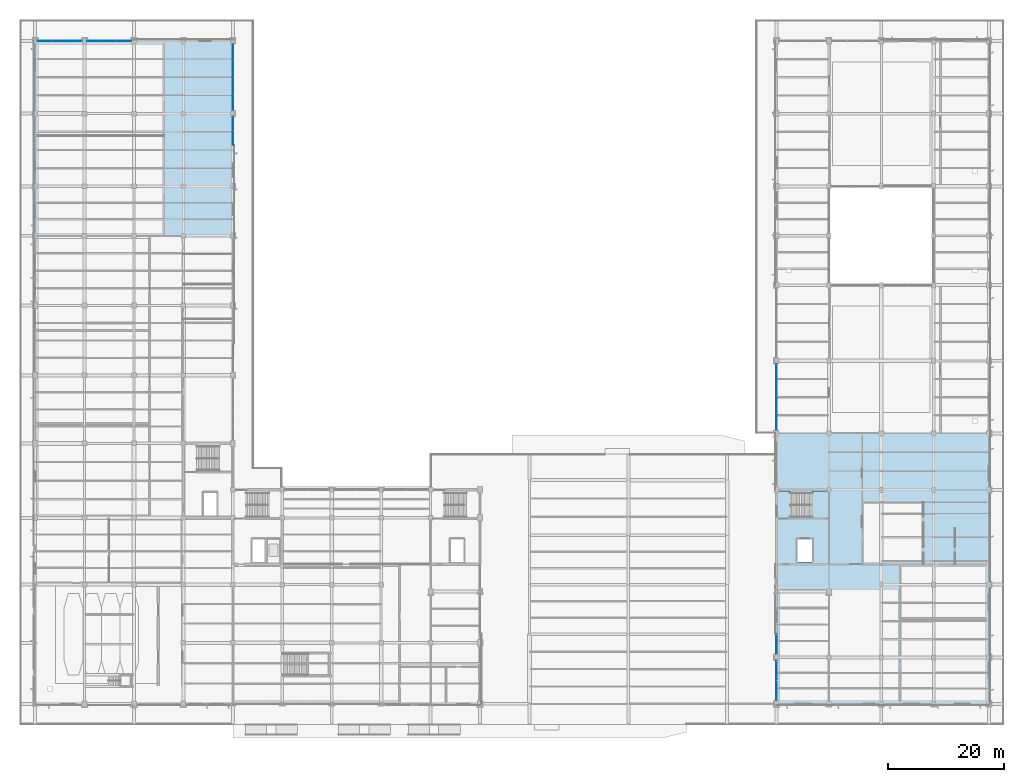
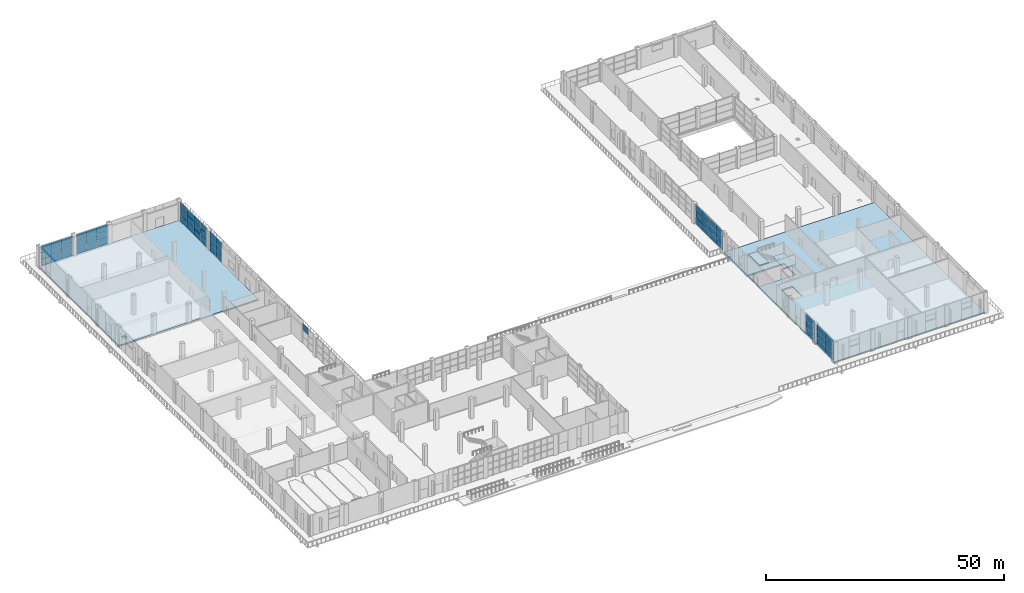
# One storey, part 63 of 90: 58 plates, 4 slabs, 9 elements without a shape of their own.
"""IFC4 building model written with IfcOpenShell, lengths in metres."""

from ifc_helpers import new_model, si_unit, direction, frame, origin, origin_2d, place, context, subcontext, project, spatial, polyline, rectangle, outline, extrude, material, layer, layer_set, type_object, element, aggregate, save


model = new_model("IFC4")

# Units and contexts
model_context = context("Model", 3, precision=1e-05, world=origin(), true_north=direction((0.0, 1.0)))
body_context = subcontext(model_context, "Body", "Model", "MODEL_VIEW")
ifc_project = project(units=[si_unit("LENGTHUNIT", "METRE"), si_unit("AREAUNIT", "SQUARE_METRE"), si_unit("VOLUMEUNIT", "CUBIC_METRE"), si_unit("PLANEANGLEUNIT", "RADIAN"), si_unit("MASSUNIT", "GRAM", prefix="KILO")], contexts=[model_context])

# Site, building, storey
site_placement = place(None, origin())
site = spatial("IfcSite", under=ifc_project, at=site_placement, CompositionType="ELEMENT")
building_placement = place(site_placement, origin())
building = spatial("IfcBuilding", under=site, at=building_placement, Name="Solvikara Media Centre", CompositionType="ELEMENT")
storey_placement = place(building_placement, origin())
storey = spatial("IfcBuildingStorey", under=building, at=storey_placement, Name="L00", CompositionType="ELEMENT", Elevation=0.0)

# Curtain wall, plates
ifc_material_1 = material(Name="Anodised aluminium EN AW-6063", Category="aluminium")
curtain_wall_type_1 = type_object("IfcCurtainWallType", Name="CW-11", PredefinedType="NOTDEFINED", material=ifc_material_1)
curtain_wall_1_placement = place(storey_placement, origin())
curtain_wall_1 = element("IfcCurtainWall", 1, at=curtain_wall_1_placement, inside=storey, type_object=curtain_wall_type_1, Name="CW-L00-V5-WS-S1", PredefinedType="NOTDEFINED")
ifc_material_2 = material(Name="Double-glazed low-E architectural glass", Category="glass")
ifc_layer_1 = layer(ifc_material_2, 0.035888671875)
ifc_layer_set_1 = layer_set([ifc_layer_1], Name="Double-glazed low-E architectural glass")
plate_type_1 = type_object("IfcPlateType", Name="PN-06", PredefinedType="CURTAIN_PANEL", material=ifc_layer_set_1)
plate_1_placement = place(storey_placement, frame((127.5, 2.294921875, 0.03466796875), z_axis=(0.0, 0.0, 1.0), x_axis=(0.0, 1.0, 0.0)))
plate_1 = element("IfcPlate", 2, at=plate_1_placement, type_object=plate_type_1, Name="CW-L00-V5-WS-S1-P0000", PredefinedType="CURTAIN_PANEL", context=body_context, shape_type="SweptSolid", body=[
    extrude(rectangle(XDim=3.3798828125, YDim=0.035888671875, at=origin_2d()), origin(), (0.0, 0.0, 1.0), 1.656982421875),
])
plate_2_placement = place(storey_placement, frame((127.5, 2.294921875, 3.40869140625), z_axis=(0.0, 0.0, 1.0), x_axis=(0.0, 1.0, 0.0)))
plate_2 = element("IfcPlate", 3, at=plate_2_placement, type_object=plate_type_1, Name="CW-L00-V5-WS-S1-P0002", PredefinedType="CURTAIN_PANEL", context=body_context, shape_type="SweptSolid", body=[
    extrude(rectangle(XDim=3.3798828125, YDim=0.035888671875, at=origin_2d()), origin(), (0.0, 0.0, 1.0), 1.656982421875),
])
plate_3_placement = place(storey_placement, frame((127.5, 5.705078125, 1.7216796875), z_axis=(0.0, 0.0, 1.0), x_axis=(0.0, 1.0, 0.0)))
plate_3 = element("IfcPlate", 4, at=plate_3_placement, type_object=plate_type_1, Name="CW-L00-V5-WS-S1-P0101", PredefinedType="CURTAIN_PANEL", context=body_context, shape_type="SweptSolid", body=[
    extrude(rectangle(XDim=3.3798828125, YDim=0.035888671875, at=origin_2d()), origin(), (0.0, 0.0, 1.0), 1.656982421875),
])

curtain_wall_2_placement = place(storey_placement, origin())
curtain_wall_2 = element("IfcCurtainWall", 5, at=curtain_wall_2_placement, inside=storey, type_object=curtain_wall_type_1, Name="CW-L00-V5-WS-S2", PredefinedType="NOTDEFINED")
plate_4_placement = place(storey_placement, frame((127.5, 10.278076171875, 0.03466796875), z_axis=(0.0, 0.0, 1.0), x_axis=(0.0, 1.0, 0.0)))
plate_4 = element("IfcPlate", 6, at=plate_4_placement, type_object=plate_type_1, Name="CW-L00-V5-WS-S2-P0000", PredefinedType="CURTAIN_PANEL", context=body_context, shape_type="SweptSolid", body=[
    extrude(rectangle(XDim=3.344970703125, YDim=0.035888671875, at=origin_2d()), origin(), (0.0, 0.0, 1.0), 1.656982421875),
])
plate_5_placement = place(storey_placement, frame((127.5, 10.278076171875, 3.40869140625), z_axis=(0.0, 0.0, 1.0), x_axis=(0.0, 1.0, 0.0)))
plate_5 = element("IfcPlate", 7, at=plate_5_placement, type_object=plate_type_1, Name="CW-L00-V5-WS-S2-P0002", PredefinedType="CURTAIN_PANEL", context=body_context, shape_type="SweptSolid", body=[
    extrude(rectangle(XDim=3.344970703125, YDim=0.035888671875, at=origin_2d()), origin(), (0.0, 0.0, 1.0), 1.656982421875),
])

# Plate
ifc_material_3 = material(Name="Insulated silver-pearl glass spandrel panel", Category="glass")
ifc_layer_2 = layer(ifc_material_3, 0.054931640625)
ifc_layer_set_2 = layer_set([ifc_layer_2], Name="Insulated silver-pearl glass spandrel panel")
plate_type_2 = type_object("IfcPlateType", Name="PN-07", PredefinedType="CURTAIN_PANEL", material=ifc_layer_set_2)
plate_6_placement = place(storey_placement, frame((127.5, 2.294921875, 1.7216796875), z_axis=(0.0, 0.0, 1.0), x_axis=(0.0, 1.0, 0.0)))
plate_6 = element("IfcPlate", 8, at=plate_6_placement, type_object=plate_type_2, Name="CW-L00-V5-WS-S1-P0001", PredefinedType="CURTAIN_PANEL", context=body_context, shape_type="SweptSolid", body=[
    extrude(rectangle(XDim=3.3798828125, YDim=0.054931640625, at=origin_2d()), origin(), (0.0, 0.0, 1.0), 1.656982421875),
])

plate_7_placement = place(storey_placement, frame((127.5, 5.705078125, 0.03466796875), z_axis=(0.0, 0.0, 1.0), x_axis=(0.0, 1.0, 0.0)))
plate_7 = element("IfcPlate", 9, at=plate_7_placement, type_object=plate_type_2, Name="CW-L00-V5-WS-S1-P0100", PredefinedType="CURTAIN_PANEL", context=body_context, shape_type="SweptSolid", body=[
    extrude(rectangle(XDim=3.3798828125, YDim=0.054931640625, at=origin_2d()), origin(), (0.0, 0.0, 1.0), 1.656982421875),
])

plate_8_placement = place(storey_placement, frame((127.5, 5.705078125, 3.40869140625), z_axis=(0.0, 0.0, 1.0), x_axis=(0.0, 1.0, 0.0)))
plate_8 = element("IfcPlate", 10, at=plate_8_placement, type_object=plate_type_2, Name="CW-L00-V5-WS-S1-P0102", PredefinedType="CURTAIN_PANEL", context=body_context, shape_type="SweptSolid", body=[
    extrude(rectangle(XDim=3.3798828125, YDim=0.054931640625, at=origin_2d()), origin(), (0.0, 0.0, 1.0), 1.656982421875),
])

aggregate(curtain_wall_1, [plate_1, plate_6, plate_2, plate_7, plate_3, plate_8])

plate_9_placement = place(storey_placement, frame((127.5, 10.278076171875, 1.7216796875), z_axis=(0.0, 0.0, 1.0), x_axis=(0.0, 1.0, 0.0)))
plate_9 = element("IfcPlate", 11, at=plate_9_placement, type_object=plate_type_2, Name="CW-L00-V5-WS-S2-P0001", PredefinedType="CURTAIN_PANEL", context=body_context, shape_type="SweptSolid", body=[
    extrude(rectangle(XDim=3.344970703125, YDim=0.054931640625, at=origin_2d()), origin(), (0.0, 0.0, 1.0), 1.656982421875),
])

aggregate(curtain_wall_2, [plate_4, plate_9, plate_5])

# Curtain wall, plates
curtain_wall_3_placement = place(storey_placement, origin())
curtain_wall_3 = element("IfcCurtainWall", 12, at=curtain_wall_3_placement, inside=storey, type_object=curtain_wall_type_1, Name="CW-L00-V2W-1-S1", PredefinedType="NOTDEFINED")
plate_10_placement = place(storey_placement, frame((127.5, 48.510986328125, 1.7216796875), z_axis=(0.0, 0.0, 1.0), x_axis=(0.0, 1.0, 0.0)))
plate_10 = element("IfcPlate", 13, at=plate_10_placement, type_object=plate_type_2, Name="CW-L00-V2W-1-S1-P0001", PredefinedType="CURTAIN_PANEL", context=body_context, shape_type="SweptSolid", body=[
    extrude(rectangle(XDim=2.81201171875, YDim=0.054931640625, at=origin_2d()), origin(), (0.0, 0.0, 1.0), 1.656982421875),
])
plate_11_placement = place(storey_placement, frame((127.5, 51.35400390625, 0.03466796875), z_axis=(0.0, 0.0, 1.0), x_axis=(0.0, 1.0, 0.0)))
plate_11 = element("IfcPlate", 14, at=plate_11_placement, type_object=plate_type_2, Name="CW-L00-V2W-1-S1-P0100", PredefinedType="CURTAIN_PANEL", context=body_context, shape_type="SweptSolid", body=[
    extrude(rectangle(XDim=2.81201171875, YDim=0.054931640625, at=origin_2d()), origin(), (0.0, 0.0, 1.0), 1.656982421875),
])
plate_12_placement = place(storey_placement, frame((127.5, 51.35400390625, 3.40869140625), z_axis=(0.0, 0.0, 1.0), x_axis=(0.0, 1.0, 0.0)))
plate_12 = element("IfcPlate", 15, at=plate_12_placement, type_object=plate_type_2, Name="CW-L00-V2W-1-S1-P0102", PredefinedType="CURTAIN_PANEL", context=body_context, shape_type="SweptSolid", body=[
    extrude(rectangle(XDim=2.81201171875, YDim=0.054931640625, at=origin_2d()), origin(), (0.0, 0.0, 1.0), 1.656982421875),
])
plate_13_placement = place(storey_placement, frame((127.5, 54.196044921875, 1.7216796875), z_axis=(0.0, 0.0, 1.0), x_axis=(0.0, 1.0, 0.0)))
plate_13 = element("IfcPlate", 16, at=plate_13_placement, type_object=plate_type_2, Name="CW-L00-V2W-1-S1-P0201", PredefinedType="CURTAIN_PANEL", context=body_context, shape_type="SweptSolid", body=[
    extrude(rectangle(XDim=2.81201171875, YDim=0.054931640625, at=origin_2d()), origin(), (0.0, 0.0, 1.0), 1.656982421875),
])
plate_14_placement = place(storey_placement, frame((127.5, 57.0390625, 0.03466796875), z_axis=(0.0, 0.0, 1.0), x_axis=(0.0, 1.0, 0.0)))
plate_14 = element("IfcPlate", 17, at=plate_14_placement, type_object=plate_type_2, Name="CW-L00-V2W-1-S1-P0300", PredefinedType="CURTAIN_PANEL", context=body_context, shape_type="SweptSolid", body=[
    extrude(rectangle(XDim=2.81201171875, YDim=0.054931640625, at=origin_2d()), origin(), (0.0, 0.0, 1.0), 1.656982421875),
])
plate_15_placement = place(storey_placement, frame((127.5, 57.0390625, 3.40869140625), z_axis=(0.0, 0.0, 1.0), x_axis=(0.0, 1.0, 0.0)))
plate_15 = element("IfcPlate", 18, at=plate_15_placement, type_object=plate_type_2, Name="CW-L00-V2W-1-S1-P0302", PredefinedType="CURTAIN_PANEL", context=body_context, shape_type="SweptSolid", body=[
    extrude(rectangle(XDim=2.81201171875, YDim=0.054931640625, at=origin_2d()), origin(), (0.0, 0.0, 1.0), 1.656982421875),
])

curtain_wall_type_2 = type_object("IfcCurtainWallType", Name="CW-06", PredefinedType="NOTDEFINED", material=ifc_material_1)
curtain_wall_4_placement = place(storey_placement, origin())
curtain_wall_4 = element("IfcCurtainWall", 19, at=curtain_wall_4_placement, inside=storey, type_object=curtain_wall_type_2, Name="CW-L00-V3N-1-S1", PredefinedType="NOTDEFINED")
ifc_layer_3 = layer(ifc_material_2, 0.035888671875)
ifc_layer_set_3 = layer_set([ifc_layer_3], Name="Double-glazed low-E architectural glass")
plate_type_3 = type_object("IfcPlateType", Name="PN-10", PredefinedType="CURTAIN_PANEL", material=ifc_layer_set_3)
plate_16_placement = place(storey_placement, frame((1.7099609375, 114.0, 0.03466796875), z_axis=(0.0, 0.0, 1.0), x_axis=(1.0, 0.0, 0.0)))
plate_16 = element("IfcPlate", 20, at=plate_16_placement, type_object=plate_type_3, Name="CW-L00-V3N-1-S1-P0000", PredefinedType="CURTAIN_PANEL", context=body_context, shape_type="SweptSolid", body=[
    extrude(rectangle(XDim=2.510009765625, YDim=0.035888671875, at=origin_2d()), origin(), (0.0, 0.0, 1.0), 1.656982421875),
])
plate_17_placement = place(storey_placement, frame((1.7099609375, 114.0, 3.40869140625), z_axis=(0.0, 0.0, 1.0), x_axis=(1.0, 0.0, 0.0)))
plate_17 = element("IfcPlate", 21, at=plate_17_placement, type_object=plate_type_3, Name="CW-L00-V3N-1-S1-P0002", PredefinedType="CURTAIN_PANEL", context=body_context, shape_type="SweptSolid", body=[
    extrude(rectangle(XDim=2.510009765625, YDim=0.035888671875, at=origin_2d()), origin(), (0.0, 0.0, 1.0), 1.656982421875),
])
plate_18_placement = place(storey_placement, frame((4.25, 114.0, 1.7216796875), z_axis=(0.0, 0.0, 1.0), x_axis=(1.0, 0.0, 0.0)))
plate_18 = element("IfcPlate", 22, at=plate_18_placement, type_object=plate_type_3, Name="CW-L00-V3N-1-S1-P0101", PredefinedType="CURTAIN_PANEL", context=body_context, shape_type="SweptSolid", body=[
    extrude(rectangle(XDim=2.510009765625, YDim=0.035888671875, at=origin_2d()), origin(), (0.0, 0.0, 1.0), 1.656982421875),
])
plate_19_placement = place(storey_placement, frame((6.7900390625, 114.0, 0.03466796875), z_axis=(0.0, 0.0, 1.0), x_axis=(1.0, 0.0, 0.0)))
plate_19 = element("IfcPlate", 23, at=plate_19_placement, type_object=plate_type_3, Name="CW-L00-V3N-1-S1-P0200", PredefinedType="CURTAIN_PANEL", context=body_context, shape_type="SweptSolid", body=[
    extrude(rectangle(XDim=2.510009765625, YDim=0.035888671875, at=origin_2d()), origin(), (0.0, 0.0, 1.0), 1.656982421875),
])
plate_20_placement = place(storey_placement, frame((6.7900390625, 114.0, 3.40869140625), z_axis=(0.0, 0.0, 1.0), x_axis=(1.0, 0.0, 0.0)))
plate_20 = element("IfcPlate", 24, at=plate_20_placement, type_object=plate_type_3, Name="CW-L00-V3N-1-S1-P0202", PredefinedType="CURTAIN_PANEL", context=body_context, shape_type="SweptSolid", body=[
    extrude(rectangle(XDim=2.510009765625, YDim=0.035888671875, at=origin_2d()), origin(), (0.0, 0.0, 1.0), 1.656982421875),
])

curtain_wall_5_placement = place(storey_placement, origin())
curtain_wall_5 = element("IfcCurtainWall", 25, at=curtain_wall_5_placement, inside=storey, type_object=curtain_wall_type_2, Name="CW-L00-V3N-1-S2", PredefinedType="NOTDEFINED")
plate_21_placement = place(storey_placement, frame((10.2099609375, 114.0, 0.03466796875), z_axis=(0.0, 0.0, 1.0), x_axis=(1.0, 0.0, 0.0)))
plate_21 = element("IfcPlate", 26, at=plate_21_placement, type_object=plate_type_3, Name="CW-L00-V3N-1-S2-P0000", PredefinedType="CURTAIN_PANEL", context=body_context, shape_type="SweptSolid", body=[
    extrude(rectangle(XDim=2.510009765625, YDim=0.035888671875, at=origin_2d()), origin(), (0.0, 0.0, 1.0), 1.656982421875),
])
plate_22_placement = place(storey_placement, frame((10.2099609375, 114.0, 3.40869140625), z_axis=(0.0, 0.0, 1.0), x_axis=(1.0, 0.0, 0.0)))
plate_22 = element("IfcPlate", 27, at=plate_22_placement, type_object=plate_type_3, Name="CW-L00-V3N-1-S2-P0002", PredefinedType="CURTAIN_PANEL", context=body_context, shape_type="SweptSolid", body=[
    extrude(rectangle(XDim=2.510009765625, YDim=0.035888671875, at=origin_2d()), origin(), (0.0, 0.0, 1.0), 1.656982421875),
])
plate_23_placement = place(storey_placement, frame((12.75, 114.0, 1.7216796875), z_axis=(0.0, 0.0, 1.0), x_axis=(1.0, 0.0, 0.0)))
plate_23 = element("IfcPlate", 28, at=plate_23_placement, type_object=plate_type_3, Name="CW-L00-V3N-1-S2-P0101", PredefinedType="CURTAIN_PANEL", context=body_context, shape_type="SweptSolid", body=[
    extrude(rectangle(XDim=2.510009765625, YDim=0.035888671875, at=origin_2d()), origin(), (0.0, 0.0, 1.0), 1.656982421875),
])
plate_24_placement = place(storey_placement, frame((15.2900390625, 114.0, 0.03466796875), z_axis=(0.0, 0.0, 1.0), x_axis=(1.0, 0.0, 0.0)))
plate_24 = element("IfcPlate", 29, at=plate_24_placement, type_object=plate_type_3, Name="CW-L00-V3N-1-S2-P0200", PredefinedType="CURTAIN_PANEL", context=body_context, shape_type="SweptSolid", body=[
    extrude(rectangle(XDim=2.510009765625, YDim=0.035888671875, at=origin_2d()), origin(), (0.0, 0.0, 1.0), 1.656982421875),
])
plate_25_placement = place(storey_placement, frame((15.2900390625, 114.0, 3.40869140625), z_axis=(0.0, 0.0, 1.0), x_axis=(1.0, 0.0, 0.0)))
plate_25 = element("IfcPlate", 30, at=plate_25_placement, type_object=plate_type_3, Name="CW-L00-V3N-1-S2-P0202", PredefinedType="CURTAIN_PANEL", context=body_context, shape_type="SweptSolid", body=[
    extrude(rectangle(XDim=2.510009765625, YDim=0.035888671875, at=origin_2d()), origin(), (0.0, 0.0, 1.0), 1.656982421875),
])

# Plate
ifc_layer_4 = layer(ifc_material_3, 0.054931640625)
ifc_layer_set_4 = layer_set([ifc_layer_4], Name="Insulated silver-pearl glass spandrel panel")
plate_type_4 = type_object("IfcPlateType", Name="PN-11", PredefinedType="CURTAIN_PANEL", material=ifc_layer_set_4)
plate_26_placement = place(storey_placement, frame((1.7099609375, 114.0, 1.7216796875), z_axis=(0.0, 0.0, 1.0), x_axis=(1.0, 0.0, 0.0)))
plate_26 = element("IfcPlate", 31, at=plate_26_placement, type_object=plate_type_4, Name="CW-L00-V3N-1-S1-P0001", PredefinedType="CURTAIN_PANEL", context=body_context, shape_type="SweptSolid", body=[
    extrude(rectangle(XDim=2.510009765625, YDim=0.054931640625, at=origin_2d()), origin(), (0.0, 0.0, 1.0), 1.656982421875),
])

plate_27_placement = place(storey_placement, frame((4.25, 114.0, 0.03466796875), z_axis=(0.0, 0.0, 1.0), x_axis=(1.0, 0.0, 0.0)))
plate_27 = element("IfcPlate", 32, at=plate_27_placement, type_object=plate_type_4, Name="CW-L00-V3N-1-S1-P0100", PredefinedType="CURTAIN_PANEL", context=body_context, shape_type="SweptSolid", body=[
    extrude(rectangle(XDim=2.510009765625, YDim=0.054931640625, at=origin_2d()), origin(), (0.0, 0.0, 1.0), 1.656982421875),
])

plate_28_placement = place(storey_placement, frame((4.25, 114.0, 3.40869140625), z_axis=(0.0, 0.0, 1.0), x_axis=(1.0, 0.0, 0.0)))
plate_28 = element("IfcPlate", 33, at=plate_28_placement, type_object=plate_type_4, Name="CW-L00-V3N-1-S1-P0102", PredefinedType="CURTAIN_PANEL", context=body_context, shape_type="SweptSolid", body=[
    extrude(rectangle(XDim=2.510009765625, YDim=0.054931640625, at=origin_2d()), origin(), (0.0, 0.0, 1.0), 1.656982421875),
])

plate_29_placement = place(storey_placement, frame((6.7900390625, 114.0, 1.7216796875), z_axis=(0.0, 0.0, 1.0), x_axis=(1.0, 0.0, 0.0)))
plate_29 = element("IfcPlate", 34, at=plate_29_placement, type_object=plate_type_4, Name="CW-L00-V3N-1-S1-P0201", PredefinedType="CURTAIN_PANEL", context=body_context, shape_type="SweptSolid", body=[
    extrude(rectangle(XDim=2.510009765625, YDim=0.054931640625, at=origin_2d()), origin(), (0.0, 0.0, 1.0), 1.656982421875),
])

aggregate(curtain_wall_4, [plate_16, plate_26, plate_17, plate_27, plate_18, plate_28, plate_19, plate_29, plate_20])

plate_30_placement = place(storey_placement, frame((10.2099609375, 114.0, 1.7216796875), z_axis=(0.0, 0.0, 1.0), x_axis=(1.0, 0.0, 0.0)))
plate_30 = element("IfcPlate", 35, at=plate_30_placement, type_object=plate_type_4, Name="CW-L00-V3N-1-S2-P0001", PredefinedType="CURTAIN_PANEL", context=body_context, shape_type="SweptSolid", body=[
    extrude(rectangle(XDim=2.510009765625, YDim=0.054931640625, at=origin_2d()), origin(), (0.0, 0.0, 1.0), 1.656982421875),
])

plate_31_placement = place(storey_placement, frame((12.75, 114.0, 0.03466796875), z_axis=(0.0, 0.0, 1.0), x_axis=(1.0, 0.0, 0.0)))
plate_31 = element("IfcPlate", 36, at=plate_31_placement, type_object=plate_type_4, Name="CW-L00-V3N-1-S2-P0100", PredefinedType="CURTAIN_PANEL", context=body_context, shape_type="SweptSolid", body=[
    extrude(rectangle(XDim=2.510009765625, YDim=0.054931640625, at=origin_2d()), origin(), (0.0, 0.0, 1.0), 1.656982421875),
])

plate_32_placement = place(storey_placement, frame((12.75, 114.0, 3.40869140625), z_axis=(0.0, 0.0, 1.0), x_axis=(1.0, 0.0, 0.0)))
plate_32 = element("IfcPlate", 37, at=plate_32_placement, type_object=plate_type_4, Name="CW-L00-V3N-1-S2-P0102", PredefinedType="CURTAIN_PANEL", context=body_context, shape_type="SweptSolid", body=[
    extrude(rectangle(XDim=2.510009765625, YDim=0.054931640625, at=origin_2d()), origin(), (0.0, 0.0, 1.0), 1.656982421875),
])

plate_33_placement = place(storey_placement, frame((15.2900390625, 114.0, 1.7216796875), z_axis=(0.0, 0.0, 1.0), x_axis=(1.0, 0.0, 0.0)))
plate_33 = element("IfcPlate", 38, at=plate_33_placement, type_object=plate_type_4, Name="CW-L00-V3N-1-S2-P0201", PredefinedType="CURTAIN_PANEL", context=body_context, shape_type="SweptSolid", body=[
    extrude(rectangle(XDim=2.510009765625, YDim=0.054931640625, at=origin_2d()), origin(), (0.0, 0.0, 1.0), 1.656982421875),
])

aggregate(curtain_wall_5, [plate_21, plate_30, plate_22, plate_31, plate_23, plate_32, plate_24, plate_33, plate_25])

# Curtain wall, plate
curtain_wall_6_placement = place(storey_placement, origin())
curtain_wall_6 = element("IfcCurtainWall", 39, at=curtain_wall_6_placement, inside=storey, type_object=curtain_wall_type_2, Name="CW-L00-V4E-1-S2", PredefinedType="NOTDEFINED")
plate_34_placement = place(storey_placement, frame((34.0, 60.73388671875, 3.40869140625), z_axis=(0.0, 0.0, 1.0), x_axis=(0.0, 1.0, 0.0)))
plate_34 = element("IfcPlate", 40, at=plate_34_placement, type_object=plate_type_4, Name="CW-L00-V4E-1-S2-P0102", PredefinedType="CURTAIN_PANEL", context=body_context, shape_type="SweptSolid", body=[
    extrude(rectangle(XDim=2.43310546875, YDim=0.054931640625, at=origin_2d()), origin(), (0.0, 0.0, 1.0), 1.656982421875),
])
aggregate(curtain_wall_6, [plate_34])

# Curtain wall, plates
curtain_wall_type_3 = type_object("IfcCurtainWallType", Name="CW-08", PredefinedType="NOTDEFINED", material=ifc_material_1)
curtain_wall_7_placement = place(storey_placement, origin())
curtain_wall_7 = element("IfcCurtainWall", 41, at=curtain_wall_7_placement, inside=storey, type_object=curtain_wall_type_3, Name="CW-L00-V3E-1-S1", PredefinedType="NOTDEFINED")
plate_35_placement = place(storey_placement, frame((34.0, 97.26611328125, 1.7216796875), z_axis=(0.0, 0.0, 1.0), x_axis=(0.0, 1.0, 0.0)))
plate_35 = element("IfcPlate", 42, at=plate_35_placement, type_object=plate_type_4, Name="CW-L00-V3E-1-S1-P0001", PredefinedType="CURTAIN_PANEL", context=body_context, shape_type="SweptSolid", body=[
    extrude(rectangle(XDim=2.431884765625, YDim=0.054931640625, at=origin_2d()), origin(), (0.0, 0.0, 1.0), 1.656982421875),
])
plate_36_placement = place(storey_placement, frame((34.0, 99.72900390625, 0.03466796875), z_axis=(0.0, 0.0, 1.0), x_axis=(0.0, 1.0, 0.0)))
plate_36 = element("IfcPlate", 43, at=plate_36_placement, type_object=plate_type_4, Name="CW-L00-V3E-1-S1-P0100", PredefinedType="CURTAIN_PANEL", context=body_context, shape_type="SweptSolid", body=[
    extrude(rectangle(XDim=2.431884765625, YDim=0.054931640625, at=origin_2d()), origin(), (0.0, 0.0, 1.0), 1.656982421875),
])
plate_37_placement = place(storey_placement, frame((34.0, 99.72900390625, 3.40869140625), z_axis=(0.0, 0.0, 1.0), x_axis=(0.0, 1.0, 0.0)))
plate_37 = element("IfcPlate", 44, at=plate_37_placement, type_object=plate_type_4, Name="CW-L00-V3E-1-S1-P0102", PredefinedType="CURTAIN_PANEL", context=body_context, shape_type="SweptSolid", body=[
    extrude(rectangle(XDim=2.431884765625, YDim=0.054931640625, at=origin_2d()), origin(), (0.0, 0.0, 1.0), 1.656982421875),
])

curtain_wall_8_placement = place(storey_placement, origin())
curtain_wall_8 = element("IfcCurtainWall", 45, at=curtain_wall_8_placement, inside=storey, type_object=curtain_wall_type_3, Name="CW-L00-V3E-1-S2", PredefinedType="NOTDEFINED")
plate_38_placement = place(storey_placement, frame((34.0, 103.467041015625, 1.7216796875), z_axis=(0.0, 0.0, 1.0), x_axis=(0.0, 1.0, 0.0)))
plate_38 = element("IfcPlate", 46, at=plate_38_placement, type_object=plate_type_4, Name="CW-L00-V3E-1-S2-P0001", PredefinedType="CURTAIN_PANEL", context=body_context, shape_type="SweptSolid", body=[
    extrude(rectangle(XDim=2.824951171875, YDim=0.054931640625, at=origin_2d()), origin(), (0.0, 0.0, 1.0), 1.656982421875),
])
plate_39_placement = place(storey_placement, frame((34.0, 106.322021484375, 0.03466796875), z_axis=(0.0, 0.0, 1.0), x_axis=(0.0, 1.0, 0.0)))
plate_39 = element("IfcPlate", 47, at=plate_39_placement, type_object=plate_type_4, Name="CW-L00-V3E-1-S2-P0100", PredefinedType="CURTAIN_PANEL", context=body_context, shape_type="SweptSolid", body=[
    extrude(rectangle(XDim=2.824951171875, YDim=0.054931640625, at=origin_2d()), origin(), (0.0, 0.0, 1.0), 1.656982421875),
])
plate_40_placement = place(storey_placement, frame((34.0, 106.322021484375, 3.40869140625), z_axis=(0.0, 0.0, 1.0), x_axis=(0.0, 1.0, 0.0)))
plate_40 = element("IfcPlate", 48, at=plate_40_placement, type_object=plate_type_4, Name="CW-L00-V3E-1-S2-P0102", PredefinedType="CURTAIN_PANEL", context=body_context, shape_type="SweptSolid", body=[
    extrude(rectangle(XDim=2.824951171875, YDim=0.054931640625, at=origin_2d()), origin(), (0.0, 0.0, 1.0), 1.656982421875),
])
plate_41_placement = place(storey_placement, frame((34.0, 109.177001953125, 1.7216796875), z_axis=(0.0, 0.0, 1.0), x_axis=(0.0, 1.0, 0.0)))
plate_41 = element("IfcPlate", 49, at=plate_41_placement, type_object=plate_type_4, Name="CW-L00-V3E-1-S2-P0201", PredefinedType="CURTAIN_PANEL", context=body_context, shape_type="SweptSolid", body=[
    extrude(rectangle(XDim=2.824951171875, YDim=0.054931640625, at=origin_2d()), origin(), (0.0, 0.0, 1.0), 1.656982421875),
])
plate_42_placement = place(storey_placement, frame((34.0, 112.031982421875, 0.03466796875), z_axis=(0.0, 0.0, 1.0), x_axis=(0.0, 1.0, 0.0)))
plate_42 = element("IfcPlate", 50, at=plate_42_placement, type_object=plate_type_4, Name="CW-L00-V3E-1-S2-P0300", PredefinedType="CURTAIN_PANEL", context=body_context, shape_type="SweptSolid", body=[
    extrude(rectangle(XDim=2.824951171875, YDim=0.054931640625, at=origin_2d()), origin(), (0.0, 0.0, 1.0), 1.656982421875),
])
plate_43_placement = place(storey_placement, frame((34.0, 112.031982421875, 3.40869140625), z_axis=(0.0, 0.0, 1.0), x_axis=(0.0, 1.0, 0.0)))
plate_43 = element("IfcPlate", 51, at=plate_43_placement, type_object=plate_type_4, Name="CW-L00-V3E-1-S2-P0302", PredefinedType="CURTAIN_PANEL", context=body_context, shape_type="SweptSolid", body=[
    extrude(rectangle(XDim=2.824951171875, YDim=0.054931640625, at=origin_2d()), origin(), (0.0, 0.0, 1.0), 1.656982421875),
])

# Plate
ifc_material_4 = material(Name="Ceramic-fritted teal low-E glass", Category="glass")
ifc_layer_5 = layer(ifc_material_4, 0.0380859375)
ifc_layer_set_5 = layer_set([ifc_layer_5], Name="Ceramic-fritted teal low-E glass")
plate_type_5 = type_object("IfcPlateType", Name="PN-12", PredefinedType="CURTAIN_PANEL", material=ifc_layer_set_5)
plate_44_placement = place(storey_placement, frame((127.5, 48.510986328125, 0.03466796875), z_axis=(0.0, 0.0, 1.0), x_axis=(0.0, 1.0, 0.0)))
plate_44 = element("IfcPlate", 52, at=plate_44_placement, type_object=plate_type_5, Name="CW-L00-V2W-1-S1-P0000", PredefinedType="CURTAIN_PANEL", context=body_context, shape_type="SweptSolid", body=[
    extrude(rectangle(XDim=2.81201171875, YDim=0.0380859375, at=origin_2d()), origin(), (0.0, 0.0, 1.0), 1.656982421875),
])

plate_45_placement = place(storey_placement, frame((127.5, 48.510986328125, 3.40869140625), z_axis=(0.0, 0.0, 1.0), x_axis=(0.0, 1.0, 0.0)))
plate_45 = element("IfcPlate", 53, at=plate_45_placement, type_object=plate_type_5, Name="CW-L00-V2W-1-S1-P0002", PredefinedType="CURTAIN_PANEL", context=body_context, shape_type="SweptSolid", body=[
    extrude(rectangle(XDim=2.81201171875, YDim=0.0380859375, at=origin_2d()), origin(), (0.0, 0.0, 1.0), 1.656982421875),
])

plate_46_placement = place(storey_placement, frame((127.5, 51.35400390625, 1.7216796875), z_axis=(0.0, 0.0, 1.0), x_axis=(0.0, 1.0, 0.0)))
plate_46 = element("IfcPlate", 54, at=plate_46_placement, type_object=plate_type_5, Name="CW-L00-V2W-1-S1-P0101", PredefinedType="CURTAIN_PANEL", context=body_context, shape_type="SweptSolid", body=[
    extrude(rectangle(XDim=2.81201171875, YDim=0.0380859375, at=origin_2d()), origin(), (0.0, 0.0, 1.0), 1.656982421875),
])

plate_47_placement = place(storey_placement, frame((127.5, 54.196044921875, 0.03466796875), z_axis=(0.0, 0.0, 1.0), x_axis=(0.0, 1.0, 0.0)))
plate_47 = element("IfcPlate", 55, at=plate_47_placement, type_object=plate_type_5, Name="CW-L00-V2W-1-S1-P0200", PredefinedType="CURTAIN_PANEL", context=body_context, shape_type="SweptSolid", body=[
    extrude(rectangle(XDim=2.81201171875, YDim=0.0380859375, at=origin_2d()), origin(), (0.0, 0.0, 1.0), 1.656982421875),
])

plate_48_placement = place(storey_placement, frame((127.5, 54.196044921875, 3.40869140625), z_axis=(0.0, 0.0, 1.0), x_axis=(0.0, 1.0, 0.0)))
plate_48 = element("IfcPlate", 56, at=plate_48_placement, type_object=plate_type_5, Name="CW-L00-V2W-1-S1-P0202", PredefinedType="CURTAIN_PANEL", context=body_context, shape_type="SweptSolid", body=[
    extrude(rectangle(XDim=2.81201171875, YDim=0.0380859375, at=origin_2d()), origin(), (0.0, 0.0, 1.0), 1.656982421875),
])

plate_49_placement = place(storey_placement, frame((127.5, 57.0390625, 1.7216796875), z_axis=(0.0, 0.0, 1.0), x_axis=(0.0, 1.0, 0.0)))
plate_49 = element("IfcPlate", 57, at=plate_49_placement, type_object=plate_type_5, Name="CW-L00-V2W-1-S1-P0301", PredefinedType="CURTAIN_PANEL", context=body_context, shape_type="SweptSolid", body=[
    extrude(rectangle(XDim=2.81201171875, YDim=0.0380859375, at=origin_2d()), origin(), (0.0, 0.0, 1.0), 1.656982421875),
])

aggregate(curtain_wall_3, [plate_44, plate_10, plate_45, plate_11, plate_46, plate_12, plate_47, plate_13, plate_48, plate_14, plate_49, plate_15])

ifc_material_5 = material(Name="Laminated solar-control cyan vision glass", Category="glass")
ifc_layer_6 = layer(ifc_material_5, 0.035888671875)
ifc_layer_set_6 = layer_set([ifc_layer_6], Name="Laminated solar-control cyan vision glass")
plate_type_6 = type_object("IfcPlateType", Name="PN-13", PredefinedType="CURTAIN_PANEL", material=ifc_layer_set_6)
plate_50_placement = place(storey_placement, frame((34.0, 97.26611328125, 0.03466796875), z_axis=(0.0, 0.0, 1.0), x_axis=(0.0, 1.0, 0.0)))
plate_50 = element("IfcPlate", 58, at=plate_50_placement, type_object=plate_type_6, Name="CW-L00-V3E-1-S1-P0000", PredefinedType="CURTAIN_PANEL", context=body_context, shape_type="SweptSolid", body=[
    extrude(rectangle(XDim=2.431884765625, YDim=0.035888671875, at=origin_2d()), origin(), (0.0, 0.0, 1.0), 1.656982421875),
])

plate_51_placement = place(storey_placement, frame((34.0, 97.26611328125, 3.40869140625), z_axis=(0.0, 0.0, 1.0), x_axis=(0.0, 1.0, 0.0)))
plate_51 = element("IfcPlate", 59, at=plate_51_placement, type_object=plate_type_6, Name="CW-L00-V3E-1-S1-P0002", PredefinedType="CURTAIN_PANEL", context=body_context, shape_type="SweptSolid", body=[
    extrude(rectangle(XDim=2.431884765625, YDim=0.035888671875, at=origin_2d()), origin(), (0.0, 0.0, 1.0), 1.656982421875),
])

plate_52_placement = place(storey_placement, frame((34.0, 99.72900390625, 1.7216796875), z_axis=(0.0, 0.0, 1.0), x_axis=(0.0, 1.0, 0.0)))
plate_52 = element("IfcPlate", 60, at=plate_52_placement, type_object=plate_type_6, Name="CW-L00-V3E-1-S1-P0101", PredefinedType="CURTAIN_PANEL", context=body_context, shape_type="SweptSolid", body=[
    extrude(rectangle(XDim=2.431884765625, YDim=0.035888671875, at=origin_2d()), origin(), (0.0, 0.0, 1.0), 1.656982421875),
])

aggregate(curtain_wall_7, [plate_50, plate_35, plate_51, plate_36, plate_52, plate_37])

plate_53_placement = place(storey_placement, frame((34.0, 103.467041015625, 0.03466796875), z_axis=(0.0, 0.0, 1.0), x_axis=(0.0, 1.0, 0.0)))
plate_53 = element("IfcPlate", 61, at=plate_53_placement, type_object=plate_type_6, Name="CW-L00-V3E-1-S2-P0000", PredefinedType="CURTAIN_PANEL", context=body_context, shape_type="SweptSolid", body=[
    extrude(rectangle(XDim=2.824951171875, YDim=0.035888671875, at=origin_2d()), origin(), (0.0, 0.0, 1.0), 1.656982421875),
])

plate_54_placement = place(storey_placement, frame((34.0, 103.467041015625, 3.40869140625), z_axis=(0.0, 0.0, 1.0), x_axis=(0.0, 1.0, 0.0)))
plate_54 = element("IfcPlate", 62, at=plate_54_placement, type_object=plate_type_6, Name="CW-L00-V3E-1-S2-P0002", PredefinedType="CURTAIN_PANEL", context=body_context, shape_type="SweptSolid", body=[
    extrude(rectangle(XDim=2.824951171875, YDim=0.035888671875, at=origin_2d()), origin(), (0.0, 0.0, 1.0), 1.656982421875),
])

plate_55_placement = place(storey_placement, frame((34.0, 106.322021484375, 1.7216796875), z_axis=(0.0, 0.0, 1.0), x_axis=(0.0, 1.0, 0.0)))
plate_55 = element("IfcPlate", 63, at=plate_55_placement, type_object=plate_type_6, Name="CW-L00-V3E-1-S2-P0101", PredefinedType="CURTAIN_PANEL", context=body_context, shape_type="SweptSolid", body=[
    extrude(rectangle(XDim=2.824951171875, YDim=0.035888671875, at=origin_2d()), origin(), (0.0, 0.0, 1.0), 1.656982421875),
])

plate_56_placement = place(storey_placement, frame((34.0, 109.177001953125, 0.03466796875), z_axis=(0.0, 0.0, 1.0), x_axis=(0.0, 1.0, 0.0)))
plate_56 = element("IfcPlate", 64, at=plate_56_placement, type_object=plate_type_6, Name="CW-L00-V3E-1-S2-P0200", PredefinedType="CURTAIN_PANEL", context=body_context, shape_type="SweptSolid", body=[
    extrude(rectangle(XDim=2.824951171875, YDim=0.035888671875, at=origin_2d()), origin(), (0.0, 0.0, 1.0), 1.656982421875),
])

plate_57_placement = place(storey_placement, frame((34.0, 109.177001953125, 3.40869140625), z_axis=(0.0, 0.0, 1.0), x_axis=(0.0, 1.0, 0.0)))
plate_57 = element("IfcPlate", 65, at=plate_57_placement, type_object=plate_type_6, Name="CW-L00-V3E-1-S2-P0202", PredefinedType="CURTAIN_PANEL", context=body_context, shape_type="SweptSolid", body=[
    extrude(rectangle(XDim=2.824951171875, YDim=0.035888671875, at=origin_2d()), origin(), (0.0, 0.0, 1.0), 1.656982421875),
])

plate_58_placement = place(storey_placement, frame((34.0, 112.031982421875, 1.7216796875), z_axis=(0.0, 0.0, 1.0), x_axis=(0.0, 1.0, 0.0)))
plate_58 = element("IfcPlate", 66, at=plate_58_placement, type_object=plate_type_6, Name="CW-L00-V3E-1-S2-P0301", PredefinedType="CURTAIN_PANEL", context=body_context, shape_type="SweptSolid", body=[
    extrude(rectangle(XDim=2.824951171875, YDim=0.035888671875, at=origin_2d()), origin(), (0.0, 0.0, 1.0), 1.656982421875),
])

aggregate(curtain_wall_8, [plate_53, plate_38, plate_54, plate_39, plate_55, plate_40, plate_56, plate_41, plate_57, plate_42, plate_58, plate_43])

# Slabs
ifc_material_6 = material(Name="Concrete fc' 35 MPa (C35/45)", Category="concrete")
ifc_layer_7 = layer(ifc_material_6, 0.3798828125)
ifc_layer_set_7 = layer_set([ifc_layer_7], Name="Concrete fc' 35 MPa (C35/45)")
slab_type_1 = type_object("IfcSlabType", Name="ST-02", PredefinedType="BASESLAB", material=ifc_layer_set_7)
slab_1_placement = place(storey_placement, frame((0.0, 0.0, -0.3798828125)))
element("IfcSlab", 67, at=slab_1_placement, inside=storey, type_object=slab_type_1, Name="SL-L00-V5", PredefinedType="BASESLAB", context=body_context, shape_type="SweptSolid", body=[
    extrude(outline(polyline([(127.5, 0.0), (164.0, 0.0), (164.0, 46.5), (127.5, 46.5), (127.5, 0.0)]), holes=[polyline([(127.679931640625, 31.85009765625), (136.320068359375, 31.85009765625), (136.320068359375, 36.6201171875), (127.679931640625, 36.6201171875), (127.679931640625, 31.85009765625)]), polyline([(131.050048828125, 24.39990234375), (133.64990234375, 24.39990234375), (133.64990234375, 28.449951171875), (131.050048828125, 28.449951171875), (131.050048828125, 24.39990234375)])]), origin(), (0.0, 0.0, 1.0), 0.3798828125),
])
ifc_layer_8 = layer(ifc_material_6, 0.340087890625)
ifc_layer_set_8 = layer_set([ifc_layer_8], Name="Concrete fc' 35 MPa (C35/45)")
slab_type_2 = type_object("IfcSlabType", Name="ST-03", PredefinedType="BASESLAB", material=ifc_layer_set_8)
slab_2_placement = place(storey_placement, frame((0.0, 0.0, -0.340087890625)))
element("IfcSlab", 68, at=slab_2_placement, inside=storey, type_object=slab_type_2, Name="SL-L00-V3", PredefinedType="BASESLAB", context=body_context, shape_type="SweptSolid", body=[
    extrude(outline(polyline([(0.0, 80.5), (34.0, 80.5), (34.0, 114.0), (0.0, 114.0), (0.0, 80.5)]), holes=[polyline([(2.199951171875, 82.199951171875), (3.0, 82.199951171875), (3.0, 83.0), (2.199951171875, 83.0), (2.199951171875, 82.199951171875)])]), origin(), (0.0, 0.0, 1.0), 0.340087890625),
])

# Stair, slabs
stair_type = type_object("IfcStairType", Name="SR-02", PredefinedType="HALF_TURN_STAIR", material=ifc_material_6)
stair_placement = place(storey_placement, origin())
stair = element("IfcStair", 69, at=stair_placement, inside=storey, type_object=stair_type, Name="ST-C4-L00", PredefinedType="HALF_TURN_STAIR")
ifc_layer_9 = layer(ifc_material_6, 0.330078125)
ifc_layer_set_9 = layer_set([ifc_layer_9], Name="Concrete fc' 35 MPa (C35/45)")
slab_type_3 = type_object("IfcSlabType", Name="ST-15", PredefinedType="LANDING", material=ifc_layer_set_9)
slab_3_placement = place(storey_placement, frame((0.0, 0.0, 2.3701171875)))
slab_3 = element("IfcSlab", 70, at=slab_3_placement, type_object=slab_type_3, Name="ST-C4-L00-LND", PredefinedType="LANDING", context=body_context, shape_type="SweptSolid", body=[
    extrude(outline(polyline([(133.580078125, 31.85009765625), (136.3798828125, 31.85009765625), (136.3798828125, 36.6201171875), (133.580078125, 36.6201171875), (133.580078125, 31.85009765625)])), origin(), (0.0, 0.0, 1.0), 0.329833984375),
])
slab_4_placement = place(storey_placement, frame((0.0, 0.0, 5.070068359375)))
slab_4 = element("IfcSlab", 71, at=slab_4_placement, type_object=slab_type_3, Name="ST-C4-L00-ARR", PredefinedType="LANDING", context=body_context, shape_type="SweptSolid", body=[
    extrude(outline(polyline([(127.6201171875, 31.85009765625), (129.89990234375, 31.85009765625), (129.89990234375, 36.6201171875), (127.6201171875, 36.6201171875), (127.6201171875, 31.85009765625)])), origin(), (0.0, 0.0, 1.0), 0.329833984375),
])
aggregate(stair, [slab_3, slab_4])

save(model, "model.ifc")
